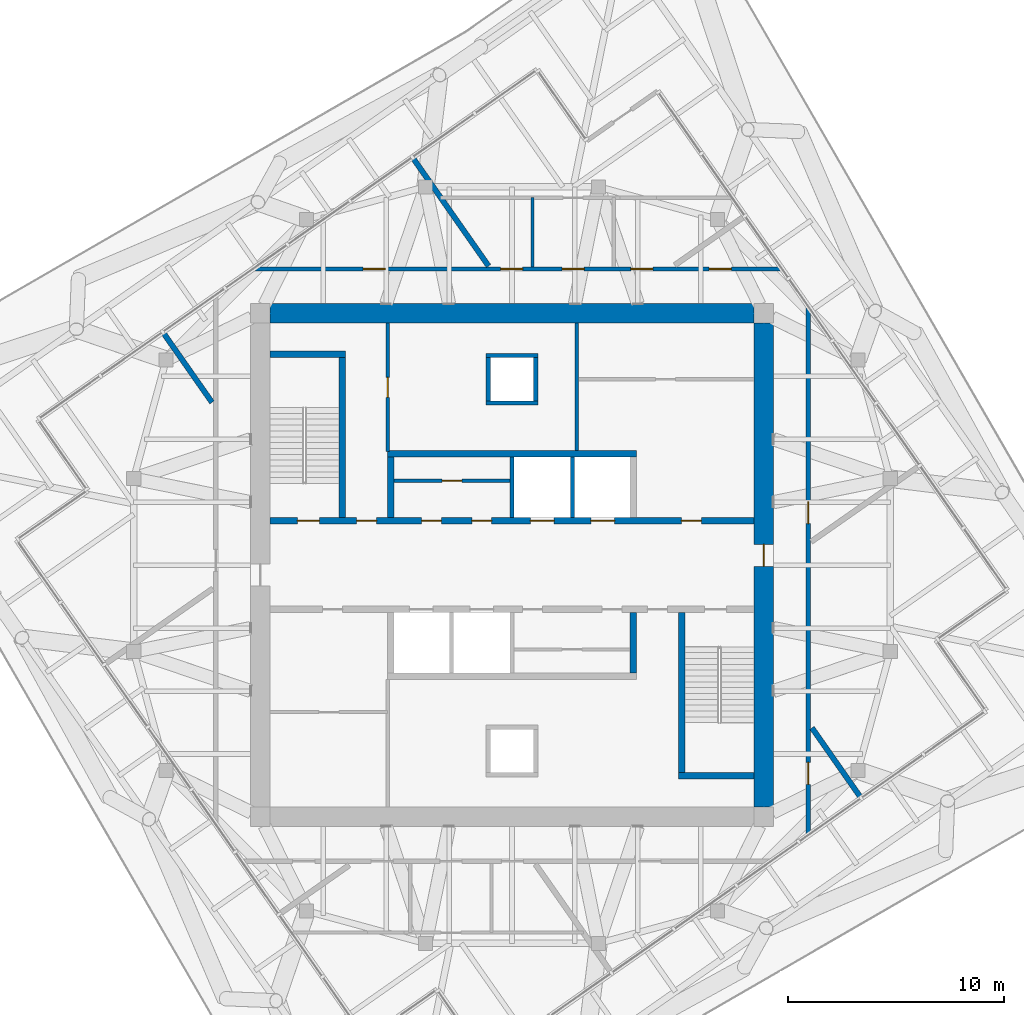
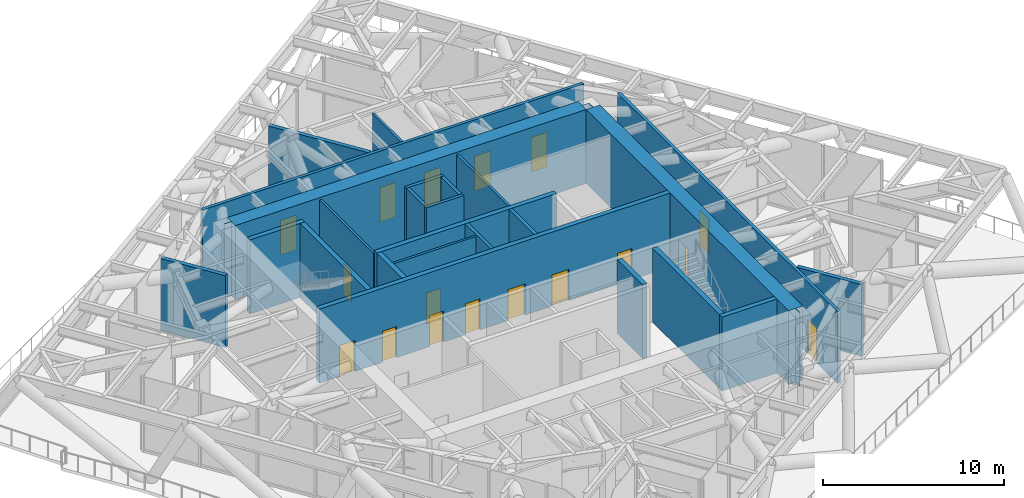
# One storey, part 9 of 16: 25 walls, 17 doors, 17 openings.
"""IFC4 building model written with IfcOpenShell, lengths in metres."""

from ifc_helpers import new_model, si_unit, direction, frame, frame_2d, origin, place, context, subcontext, project, spatial, polyline, rectangle, outline, extrude, material, layer, layer_set, type_object, element, fill, save


model = new_model("IFC4")

# Units and contexts
model_context = context("Model", 3, precision=1e-05, world=origin(), true_north=direction((0.0, 1.0)))
body_context = subcontext(model_context, "Body", "Model", "MODEL_VIEW")
ifc_project = project(units=[si_unit("LENGTHUNIT", "METRE"), si_unit("AREAUNIT", "SQUARE_METRE"), si_unit("VOLUMEUNIT", "CUBIC_METRE"), si_unit("PLANEANGLEUNIT", "RADIAN"), si_unit("MASSUNIT", "GRAM", prefix="KILO")], contexts=[model_context])

# Site, building, storey
site_placement = place(None, origin())
site = spatial("IfcSite", under=ifc_project, at=site_placement, CompositionType="ELEMENT")
building_placement = place(site_placement, origin())
building = spatial("IfcBuilding", under=site, at=building_placement, Name="Torsade Residences", CompositionType="ELEMENT")
storey_placement = place(building_placement, frame((0.0, 0.0, 235.39990234375)))
storey = spatial("IfcBuildingStorey", under=building, at=storey_placement, Name="L65", CompositionType="ELEMENT", Elevation=235.39990234375)

# Wall, openings, doors
ifc_material_1 = material(Name="Concrete 80 MPa", Category="concrete")
ifc_layer_1 = layer(ifc_material_1, 0.300048828125)
ifc_layer_set_1 = layer_set([ifc_layer_1], Name="Concrete 80 MPa")
wall_type_1 = type_object("IfcWallType", Name="CORE INTERNAL WALL 300", PredefinedType="SHEAR", material=ifc_layer_set_1)
wall_1_placement = place(storey_placement, frame((28.800048828125, 32.050048828125, 0.0), z_axis=(0.0, 0.0, 1.0), x_axis=(1.0, 0.0, 0.0)))
wall_1 = element("IfcWall", 1, at=wall_1_placement, inside=storey, type_object=wall_type_1, Name="Core wall LN L65", PredefinedType="SHEAR", context=body_context, shape_type="SweptSolid", body=[
    extrude(rectangle(XDim=22.39990234375, YDim=0.300048828125, at=frame_2d((11.199951171875, 0.0))), origin(), (0.0, 0.0, 1.0), 5.0),
])
opening_1_placement = place(wall_1_placement, frame((19.0400390625, 0.0, 0.0)))
opening_1 = element("IfcOpeningElement", 2, at=opening_1_placement, cuts=wall_1, Name="Opening D06", PredefinedType="OPENING", context=body_context, shape_type="SweptSolid", body=[
    extrude(rectangle(XDim=0.919921875, YDim=2.10009765625, at=frame_2d((0.4599609375, 1.050048828125))), frame((0.0, 0.159912109375, 0.0), z_axis=(0.0, -1.0, 0.0), x_axis=(1.0, 0.0, 0.0)), (0.0, 0.0, 1.0), 0.320068359375),
])
opening_2_placement = place(wall_1_placement, frame((1.264892578125, 0.0, 0.0)))
opening_2 = element("IfcOpeningElement", 3, at=opening_2_placement, cuts=wall_1, Name="Opening D03", PredefinedType="OPENING", context=body_context, shape_type="SweptSolid", body=[
    extrude(rectangle(XDim=1.02001953125, YDim=2.10009765625, at=frame_2d((0.510009765625, 1.050048828125))), frame((0.0, 0.159912109375, 0.0), z_axis=(0.0, -1.0, 0.0), x_axis=(1.0, 0.0, 0.0)), (0.0, 0.0, 1.0), 0.320068359375),
])
opening_3_placement = place(wall_1_placement, frame((4.014892578125, 0.0, 0.0)))
opening_3 = element("IfcOpeningElement", 4, at=opening_3_placement, cuts=wall_1, Name="Opening D06", PredefinedType="OPENING", context=body_context, shape_type="SweptSolid", body=[
    extrude(rectangle(XDim=0.919921875, YDim=2.10009765625, at=frame_2d((0.4599609375, 1.050048828125))), frame((0.0, 0.159912109375, 0.0), z_axis=(0.0, -1.0, 0.0), x_axis=(1.0, 0.0, 0.0)), (0.0, 0.0, 1.0), 0.320068359375),
])
opening_4_placement = place(wall_1_placement, frame((7.014892578125, 0.0, 0.0)))
opening_4 = element("IfcOpeningElement", 5, at=opening_4_placement, cuts=wall_1, Name="Opening D06", PredefinedType="OPENING", context=body_context, shape_type="SweptSolid", body=[
    extrude(rectangle(XDim=0.919921875, YDim=2.10009765625, at=frame_2d((0.4599609375, 1.050048828125))), frame((0.0, 0.159912109375, 0.0), z_axis=(0.0, -1.0, 0.0), x_axis=(1.0, 0.0, 0.0)), (0.0, 0.0, 1.0), 0.320068359375),
])
opening_5_placement = place(wall_1_placement, frame((9.340087890625, 0.0, 0.0)))
opening_5 = element("IfcOpeningElement", 6, at=opening_5_placement, cuts=wall_1, Name="Opening D06", PredefinedType="OPENING", context=body_context, shape_type="SweptSolid", body=[
    extrude(rectangle(XDim=0.919921875, YDim=2.10009765625, at=frame_2d((0.4599609375, 1.050048828125))), frame((0.0, 0.159912109375, 0.0), z_axis=(0.0, -1.0, 0.0), x_axis=(1.0, 0.0, 0.0)), (0.0, 0.0, 1.0), 0.320068359375),
])
opening_6_placement = place(wall_1_placement, frame((12.050048828125, 0.0, 0.0)))
opening_6 = element("IfcOpeningElement", 7, at=opening_6_placement, cuts=wall_1, Name="Opening LD", PredefinedType="OPENING", context=body_context, shape_type="SweptSolid", body=[
    extrude(rectangle(XDim=1.10009765625, YDim=2.10009765625, at=frame_2d((0.550048828125, 1.050048828125))), frame((0.0, 0.159912109375, 0.0), z_axis=(0.0, -1.0, 0.0), x_axis=(1.0, 0.0, 0.0)), (0.0, 0.0, 1.0), 0.320068359375),
])
opening_7_placement = place(wall_1_placement, frame((14.85009765625, 0.0, 0.0)))
opening_7 = element("IfcOpeningElement", 8, at=opening_7_placement, cuts=wall_1, Name="Opening LD", PredefinedType="OPENING", context=body_context, shape_type="SweptSolid", body=[
    extrude(rectangle(XDim=1.10009765625, YDim=2.10009765625, at=frame_2d((0.550048828125, 1.050048828125))), frame((0.0, 0.159912109375, 0.0), z_axis=(0.0, -1.0, 0.0), x_axis=(1.0, 0.0, 0.0)), (0.0, 0.0, 1.0), 0.320068359375),
])
ifc_material_2 = material(Name="Steel-framed fire door", Category="steel")
door_type_1 = type_object("IfcDoorType", Name="FIRE DOOR 1020", OperationType="NOTDEFINED", PredefinedType="DOOR", material=ifc_material_2)
door_1_placement = place(opening_2_placement, origin())
door_1 = element("IfcDoor", 9, at=door_1_placement, inside=storey, type_object=door_type_1, Name="Exit door to fire-isolated stair ST1 L65", OperationType="SINGLE_SWING_RIGHT", OverallHeight=2.10009765625, OverallWidth=1.02001953125, PredefinedType="DOOR", context=body_context, shape_type="SweptSolid", body=[
    extrude(rectangle(XDim=1.02001953125, YDim=2.10009765625, at=frame_2d((0.510009765625, 1.050048828125))), frame((0.0, 0.02490234375, 0.0), z_axis=(0.0, -1.0, 0.0), x_axis=(1.0, 0.0, 0.0)), (0.0, 0.0, 1.0), 0.050048828125),
])
fill(opening_2, door_1)
ifc_material_3 = material(Name="Steel-framed fire door", Category="steel")
door_type_2 = type_object("IfcDoorType", Name="FIRE DOOR 920", OperationType="NOTDEFINED", PredefinedType="DOOR", material=ifc_material_3)
door_2_placement = place(opening_1_placement, origin())
door_2 = element("IfcDoor", 10, at=door_2_placement, inside=storey, type_object=door_type_2, Name="Door Lift lobby to Refuse room", OperationType="SINGLE_SWING_LEFT", OverallHeight=2.10009765625, OverallWidth=0.919921875, PredefinedType="DOOR", context=body_context, shape_type="SweptSolid", body=[
    extrude(rectangle(XDim=0.919921875, YDim=2.10009765625, at=frame_2d((0.4599609375, 1.050048828125))), frame((0.0, 0.02490234375, 0.0), z_axis=(0.0, -1.0, 0.0), x_axis=(1.0, 0.0, 0.0)), (0.0, 0.0, 1.0), 0.050048828125),
])
fill(opening_1, door_2)
door_3_placement = place(opening_3_placement, origin())
door_3 = element("IfcDoor", 11, at=door_3_placement, inside=storey, type_object=door_type_2, Name="Door Lift lobby to Meter store", OperationType="SINGLE_SWING_LEFT", OverallHeight=2.10009765625, OverallWidth=0.919921875, PredefinedType="DOOR", context=body_context, shape_type="SweptSolid", body=[
    extrude(rectangle(XDim=0.919921875, YDim=2.10009765625, at=frame_2d((0.4599609375, 1.050048828125))), frame((0.0, 0.02490234375, 0.0), z_axis=(0.0, -1.0, 0.0), x_axis=(1.0, 0.0, 0.0)), (0.0, 0.0, 1.0), 0.050048828125),
])
fill(opening_3, door_3)
door_4_placement = place(opening_4_placement, origin())
door_4 = element("IfcDoor", 12, at=door_4_placement, inside=storey, type_object=door_type_2, Name="Door Lift lobby to IT equipment room L65A", OperationType="SINGLE_SWING_RIGHT", OverallHeight=2.10009765625, OverallWidth=0.919921875, PredefinedType="DOOR", context=body_context, shape_type="SweptSolid", body=[
    extrude(rectangle(XDim=0.919921875, YDim=2.10009765625, at=frame_2d((0.4599609375, 1.050048828125))), frame((0.0, 0.02490234375, 0.0), z_axis=(0.0, -1.0, 0.0), x_axis=(1.0, 0.0, 0.0)), (0.0, 0.0, 1.0), 0.050048828125),
])
fill(opening_4, door_4)
door_5_placement = place(opening_5_placement, origin())
door_5 = element("IfcDoor", 13, at=door_5_placement, inside=storey, type_object=door_type_2, Name="Door Lift lobby to IT equipment room L65A", OperationType="SINGLE_SWING_RIGHT", OverallHeight=2.10009765625, OverallWidth=0.919921875, PredefinedType="DOOR", context=body_context, shape_type="SweptSolid", body=[
    extrude(rectangle(XDim=0.919921875, YDim=2.10009765625, at=frame_2d((0.4599609375, 1.050048828125))), frame((0.0, 0.02490234375, 0.0), z_axis=(0.0, -1.0, 0.0), x_axis=(1.0, 0.0, 0.0)), (0.0, 0.0, 1.0), 0.050048828125),
])
fill(opening_5, door_5)
ifc_material_4 = material(Name="Stainless steel lift landing door", Category="steel")
door_type_3 = type_object("IfcDoorType", Name="LIFT LANDING DOOR 1100", OperationType="SLIDING_TO_LEFT", PredefinedType="DOOR", material=ifc_material_4)
door_6_placement = place(opening_6_placement, origin())
door_6 = element("IfcDoor", 14, at=door_6_placement, inside=storey, type_object=door_type_3, Name="Lift LA3 landing door L65", OperationType="SLIDING_TO_LEFT", OverallHeight=2.10009765625, OverallWidth=1.10009765625, PredefinedType="DOOR", context=body_context, shape_type="SweptSolid", body=[
    extrude(rectangle(XDim=1.10009765625, YDim=2.10009765625, at=frame_2d((0.550048828125, 1.050048828125))), frame((0.0, 0.02490234375, 0.0), z_axis=(0.0, -1.0, 0.0), x_axis=(1.0, 0.0, 0.0)), (0.0, 0.0, 1.0), 0.050048828125),
])
fill(opening_6, door_6)
door_7_placement = place(opening_7_placement, origin())
door_7 = element("IfcDoor", 15, at=door_7_placement, inside=storey, type_object=door_type_3, Name="Lift FL1 landing door L65", OperationType="SLIDING_TO_LEFT", OverallHeight=2.10009765625, OverallWidth=1.10009765625, PredefinedType="DOOR", context=body_context, shape_type="SweptSolid", body=[
    extrude(rectangle(XDim=1.10009765625, YDim=2.10009765625, at=frame_2d((0.550048828125, 1.050048828125))), frame((0.0, 0.02490234375, 0.0), z_axis=(0.0, -1.0, 0.0), x_axis=(1.0, 0.0, 0.0)), (0.0, 0.0, 1.0), 0.050048828125),
])
fill(opening_7, door_7)

# Walls
wall_2_placement = place(storey_placement, frame((34.25, 35.14990234375, 0.0), z_axis=(0.0, 0.0, 1.0), x_axis=(1.0, 0.0, 0.0)))
element("IfcWall", 16, at=wall_2_placement, inside=storey, type_object=wall_type_1, Name="Core wall BN L65", PredefinedType="SHEAR", context=body_context, shape_type="SweptSolid", body=[
    extrude(rectangle(XDim=11.5, YDim=0.300048828125, at=frame_2d((5.75, 0.0))), origin(), (0.0, 0.0, 1.0), 5.0),
])
for number, where, z_axis, x_axis, name in (
    (17, (34.39990234375, 32.199951171875, 0.0), (0.0, 0.0, 1.0), (0.0, 1.0, 0.0), "Core wall DN0 L65"),
    (18, (45.60009765625, 27.800048828125, 0.0), (0.0, 0.0, 1.0), (0.0, -1.0, 0.0), "Core wall DS0 L65"),
):
    element("IfcWall", number, at=place(storey_placement, frame(where, z_axis=z_axis, x_axis=x_axis)), inside=storey, type_object=wall_type_1, Name=name, PredefinedType="SHEAR", context=body_context, shape_type="SweptSolid", body=[
        extrude(rectangle(XDim=2.800048828125, YDim=0.300048828125, at=frame_2d((1.39990234375, 0.0))), origin(), (0.0, 0.0, 1.0), 5.0),
    ])
wall_3_placement = place(storey_placement, frame((32.14990234375, 32.199951171875, 0.0), z_axis=(0.0, 0.0, 1.0), x_axis=(0.0, 1.0, 0.0)))
element("IfcWall", 19, at=wall_3_placement, inside=storey, type_object=wall_type_1, Name="Core wall ST1E L65", PredefinedType="SHEAR", context=body_context, shape_type="SweptSolid", body=[
    extrude(rectangle(XDim=7.699951171875, YDim=0.300048828125, at=frame_2d((3.85009765625, 0.0))), origin(), (0.0, 0.0, 1.0), 5.0),
])
wall_4_placement = place(storey_placement, frame((28.800048828125, 39.75, 0.0), z_axis=(0.0, 0.0, 1.0), x_axis=(1.0, 0.0, 0.0)))
element("IfcWall", 20, at=wall_4_placement, inside=storey, type_object=wall_type_1, Name="Core wall ST1N L65", PredefinedType="SHEAR", context=body_context, shape_type="SweptSolid", body=[
    extrude(rectangle(XDim=3.5, YDim=0.300048828125, at=frame_2d((1.75, 0.0))), origin(), (0.0, 0.0, 1.0), 5.0),
])
wall_5_placement = place(storey_placement, frame((47.85009765625, 27.800048828125, 0.0), z_axis=(0.0, 0.0, 1.0), x_axis=(0.0, -1.0, 0.0)))
element("IfcWall", 21, at=wall_5_placement, inside=storey, type_object=wall_type_1, Name="Core wall ST2W L65", PredefinedType="SHEAR", context=body_context, shape_type="SweptSolid", body=[
    extrude(rectangle(XDim=7.699951171875, YDim=0.300048828125, at=frame_2d((3.85009765625, 0.0))), origin(), (0.0, 0.0, 1.0), 5.0),
])
wall_6_placement = place(storey_placement, frame((51.199951171875, 20.25, 0.0), z_axis=(0.0, 0.0, 1.0), x_axis=(-1.0, 0.0, 0.0)))
element("IfcWall", 22, at=wall_6_placement, inside=storey, type_object=wall_type_1, Name="Core wall ST2S L65", PredefinedType="SHEAR", context=body_context, shape_type="SweptSolid", body=[
    extrude(rectangle(XDim=3.5, YDim=0.300048828125, at=frame_2d((1.75, 0.0))), origin(), (0.0, 0.0, 1.0), 5.0),
])
ifc_material_5 = material(Name="Concrete 80 MPa", Category="concrete")
ifc_layer_2 = layer(ifc_material_5, 0.89990234375)
ifc_layer_set_2 = layer_set([ifc_layer_2], Name="Concrete 80 MPa")
wall_type_2 = type_object("IfcWallType", Name="CORE WALL 900", PredefinedType="SHEAR", material=ifc_layer_set_2)
wall_7_placement = place(storey_placement, frame((28.800048828125, 41.64990234375, 0.0), z_axis=(0.0, 0.0, 1.0), x_axis=(1.0, 0.0, 0.0)))
element("IfcWall", 23, at=wall_7_placement, inside=storey, type_object=wall_type_2, Name="Core wall N L65", PredefinedType="SHEAR", context=body_context, shape_type="SweptSolid", body=[
    extrude(outline(polyline([(0.0, -0.449951171875), (22.39990234375, -0.449951171875), (22.39990234375, -0.02490234375), (22.849853515625, -0.02490234375), (22.849853515625, 0.02490234375), (22.39990234375, 0.02490234375), (22.39990234375, 0.449951171875), (0.0, 0.449951171875), (0.0, 0.02490234375), (-0.449951171875, 0.02490234375), (-0.449951171875, -0.02490234375), (0.0, -0.02490234375), (0.0, -0.449951171875)])), origin(), (0.0, 0.0, 1.0), 5.0),
])

# Wall, opening, door
wall_8_placement = place(storey_placement, frame((51.64990234375, 18.800048828125, 0.0), z_axis=(0.0, 0.0, 1.0), x_axis=(0.0, 1.0, 0.0)))
wall_8 = element("IfcWall", 24, at=wall_8_placement, inside=storey, type_object=wall_type_2, Name="Core wall E L65", PredefinedType="SHEAR", context=body_context, shape_type="SweptSolid", body=[
    extrude(outline(polyline([(0.0, -0.449951171875), (22.39990234375, -0.449951171875), (22.39990234375, -0.02490234375), (22.849853515625, -0.02490234375), (22.849853515625, 0.02490234375), (22.39990234375, 0.02490234375), (22.39990234375, 0.449951171875), (0.0, 0.449951171875), (0.0, 0.02490234375), (-0.449951171875, 0.02490234375), (-0.449951171875, -0.02490234375), (0.0, -0.02490234375), (0.0, -0.449951171875)])), origin(), (0.0, 0.0, 1.0), 5.0),
])
opening_8_placement = place(wall_8_placement, frame((11.139892578125, 0.0, 0.0)))
opening_8 = element("IfcOpeningElement", 25, at=opening_8_placement, cuts=wall_8, Name="Opening D04", PredefinedType="OPENING", context=body_context, shape_type="SweptSolid", body=[
    extrude(rectangle(XDim=1.02001953125, YDim=2.39990234375, at=frame_2d((0.510009765625, 1.199951171875))), frame((0.0, 0.4599609375, 0.0), z_axis=(0.0, -1.0, 0.0), x_axis=(1.0, 0.0, 0.0)), (0.0, 0.0, 1.0), 0.919921875),
])
ifc_material_6 = material(Name="Steel-framed fire door", Category="steel")
door_type_4 = type_object("IfcDoorType", Name="LOBBY SMOKE DOOR 1020x2400", OperationType="NOTDEFINED", PredefinedType="DOOR", material=ifc_material_6)
door_8_placement = place(opening_8_placement, origin())
door_8 = element("IfcDoor", 26, at=door_8_placement, inside=storey, type_object=door_type_4, Name="Lift lobby door E L65", OperationType="SINGLE_SWING_LEFT", OverallHeight=2.39990234375, OverallWidth=1.02001953125, PredefinedType="DOOR", context=body_context, shape_type="SweptSolid", body=[
    extrude(rectangle(XDim=1.02001953125, YDim=2.39990234375, at=frame_2d((0.510009765625, 1.199951171875))), frame((0.0, 0.02490234375, 0.0), z_axis=(0.0, -1.0, 0.0), x_axis=(1.0, 0.0, 0.0)), (0.0, 0.0, 1.0), 0.050048828125),
])
fill(opening_8, door_8)

# Wall, openings, doors
ifc_material_7 = material(Name="Plasterboard on steel stud", Category="steel")
ifc_layer_3 = layer(ifc_material_7, 0.199951171875)
ifc_layer_set_3 = layer_set([ifc_layer_3], Name="Plasterboard on steel stud")
wall_type_3 = type_object("IfcWallType", Name="CORRIDOR WALL 200", PredefinedType="PARTITIONING", material=ifc_layer_set_3)
wall_9_placement = place(storey_placement, frame((53.699951171875, 17.545654296875, 0.0), z_axis=(0.0, 0.0, 1.0), x_axis=(0.0, 1.0, 0.0)))
wall_9 = element("IfcWall", 27, at=wall_9_placement, inside=storey, type_object=wall_type_3, Name="Corridor wall L65", PredefinedType="PARTITIONING", context=body_context, shape_type="SweptSolid", body=[
    extrude(rectangle(XDim=24.37548828125, YDim=0.199951171875, at=frame_2d((12.187744140625, 0.0))), origin(), (0.0, 0.0, 1.0), 4.85009765625),
])
opening_9_placement = place(wall_9_placement, frame((14.37744140625, 0.0, 0.0)))
opening_9 = element("IfcOpeningElement", 28, at=opening_9_placement, cuts=wall_9, Name="Opening D01", PredefinedType="OPENING", context=body_context, shape_type="SweptSolid", body=[
    extrude(rectangle(XDim=1.02001953125, YDim=2.340087890625, at=frame_2d((0.510009765625, 1.169921875))), frame((0.0, 0.10986328125, 0.0), z_axis=(0.0, -1.0, 0.0), x_axis=(1.0, 0.0, 0.0)), (0.0, 0.0, 1.0), 0.219970703125),
])
opening_10_placement = place(wall_9_placement, frame((2.309814453125, 0.0, 0.0)))
opening_10 = element("IfcOpeningElement", 29, at=opening_10_placement, cuts=wall_9, Name="Opening D01", PredefinedType="OPENING", context=body_context, shape_type="SweptSolid", body=[
    extrude(rectangle(XDim=1.02001953125, YDim=2.340087890625, at=frame_2d((0.510009765625, 1.169921875))), frame((0.0, 0.10986328125, 0.0), z_axis=(0.0, -1.0, 0.0), x_axis=(1.0, 0.0, 0.0)), (0.0, 0.0, 1.0), 0.219970703125),
])
ifc_material_8 = material(Name="Solid-core timber fire door", Category="wood")
door_type_5 = type_object("IfcDoorType", Name="APARTMENT ENTRY DOOR 1020x2340", OperationType="NOTDEFINED", PredefinedType="DOOR", material=ifc_material_8)
door_9_placement = place(opening_9_placement, origin())
door_9 = element("IfcDoor", 30, at=door_9_placement, inside=storey, type_object=door_type_5, Name="Door Plant corridor to Refuge area", OperationType="SINGLE_SWING_RIGHT", OverallHeight=2.340087890625, OverallWidth=1.02001953125, PredefinedType="DOOR", context=body_context, shape_type="SweptSolid", body=[
    extrude(rectangle(XDim=1.02001953125, YDim=2.340087890625, at=frame_2d((0.510009765625, 1.169921875))), frame((0.0, 0.02490234375, 0.0), z_axis=(0.0, -1.0, 0.0), x_axis=(1.0, 0.0, 0.0)), (0.0, 0.0, 1.0), 0.050048828125),
])
fill(opening_9, door_9)
door_10_placement = place(opening_10_placement, origin())
door_10 = element("IfcDoor", 31, at=door_10_placement, inside=storey, type_object=door_type_5, Name="Door Plant corridor to Mechanical plant room", OperationType="SINGLE_SWING_RIGHT", OverallHeight=2.340087890625, OverallWidth=1.02001953125, PredefinedType="DOOR", context=body_context, shape_type="SweptSolid", body=[
    extrude(rectangle(XDim=1.02001953125, YDim=2.340087890625, at=frame_2d((0.510009765625, 1.169921875))), frame((0.0, 0.02490234375, 0.0), z_axis=(0.0, -1.0, 0.0), x_axis=(1.0, 0.0, 0.0)), (0.0, 0.0, 1.0), 0.050048828125),
])
fill(opening_10, door_10)

wall_10_placement = place(storey_placement, frame((52.454345703125, 43.699951171875, 0.0), z_axis=(0.0, 0.0, 1.0), x_axis=(-1.0, 0.0, 0.0)))
wall_10 = element("IfcWall", 32, at=wall_10_placement, inside=storey, type_object=wall_type_3, Name="Corridor wall L65", PredefinedType="PARTITIONING", context=body_context, shape_type="SweptSolid", body=[
    extrude(rectangle(XDim=24.37548828125, YDim=0.199951171875, at=frame_2d((12.187744140625, 0.0))), origin(), (0.0, 0.0, 1.0), 4.85009765625),
])
opening_11_placement = place(wall_10_placement, frame((18.316650390625, 0.0, 0.0)))
opening_11 = element("IfcOpeningElement", 33, at=opening_11_placement, cuts=wall_10, Name="Opening D01", PredefinedType="OPENING", context=body_context, shape_type="SweptSolid", body=[
    extrude(rectangle(XDim=1.02001953125, YDim=2.340087890625, at=frame_2d((0.510009765625, 1.169921875))), frame((0.0, 0.10986328125, 0.0), z_axis=(0.0, -1.0, 0.0), x_axis=(1.0, 0.0, 0.0)), (0.0, 0.0, 1.0), 0.219970703125),
])
opening_12_placement = place(wall_10_placement, frame((2.309814453125, 0.0, 0.0)))
opening_12 = element("IfcOpeningElement", 34, at=opening_12_placement, cuts=wall_10, Name="Opening D01", PredefinedType="OPENING", context=body_context, shape_type="SweptSolid", body=[
    extrude(rectangle(XDim=1.02001953125, YDim=2.340087890625, at=frame_2d((0.510009765625, 1.169921875))), frame((0.0, 0.10986328125, 0.0), z_axis=(0.0, -1.0, 0.0), x_axis=(1.0, 0.0, 0.0)), (0.0, 0.0, 1.0), 0.219970703125),
])
opening_13_placement = place(wall_10_placement, frame((9.119384765625, 0.0, 0.0)))
opening_13 = element("IfcOpeningElement", 35, at=opening_13_placement, cuts=wall_10, Name="Opening D01", PredefinedType="OPENING", context=body_context, shape_type="SweptSolid", body=[
    extrude(rectangle(XDim=1.02001953125, YDim=2.340087890625, at=frame_2d((0.510009765625, 1.169921875))), frame((0.0, 0.10986328125, 0.0), z_axis=(0.0, -1.0, 0.0), x_axis=(1.0, 0.0, 0.0)), (0.0, 0.0, 1.0), 0.219970703125),
])
opening_14_placement = place(wall_10_placement, frame((5.933837890625, 0.0, 0.0)))
opening_14 = element("IfcOpeningElement", 36, at=opening_14_placement, cuts=wall_10, Name="Opening D01", PredefinedType="OPENING", context=body_context, shape_type="SweptSolid", body=[
    extrude(rectangle(XDim=1.02001953125, YDim=2.340087890625, at=frame_2d((0.510009765625, 1.169921875))), frame((0.0, 0.10986328125, 0.0), z_axis=(0.0, -1.0, 0.0), x_axis=(1.0, 0.0, 0.0)), (0.0, 0.0, 1.0), 0.219970703125),
])
opening_15_placement = place(wall_10_placement, frame((11.95703125, 0.0, 0.0)))
opening_15 = element("IfcOpeningElement", 37, at=opening_15_placement, cuts=wall_10, Name="Opening D01", PredefinedType="OPENING", context=body_context, shape_type="SweptSolid", body=[
    extrude(rectangle(XDim=1.02001953125, YDim=2.340087890625, at=frame_2d((0.510009765625, 1.169921875))), frame((0.0, 0.10986328125, 0.0), z_axis=(0.0, -1.0, 0.0), x_axis=(1.0, 0.0, 0.0)), (0.0, 0.0, 1.0), 0.219970703125),
])
door_11_placement = place(opening_11_placement, origin())
door_11 = element("IfcDoor", 38, at=door_11_placement, inside=storey, type_object=door_type_5, Name="Door Plant corridor to Mechanical plant room", OperationType="SINGLE_SWING_RIGHT", OverallHeight=2.340087890625, OverallWidth=1.02001953125, PredefinedType="DOOR", context=body_context, shape_type="SweptSolid", body=[
    extrude(rectangle(XDim=1.02001953125, YDim=2.340087890625, at=frame_2d((0.510009765625, 1.169921875))), frame((0.0, 0.02490234375, 0.0), z_axis=(0.0, -1.0, 0.0), x_axis=(1.0, 0.0, 0.0)), (0.0, 0.0, 1.0), 0.050048828125),
])
fill(opening_11, door_11)
door_12_placement = place(opening_12_placement, origin())
door_12 = element("IfcDoor", 39, at=door_12_placement, inside=storey, type_object=door_type_5, Name="Door Plant corridor to Mechanical plant room", OperationType="SINGLE_SWING_LEFT", OverallHeight=2.340087890625, OverallWidth=1.02001953125, PredefinedType="DOOR", context=body_context, shape_type="SweptSolid", body=[
    extrude(rectangle(XDim=1.02001953125, YDim=2.340087890625, at=frame_2d((0.510009765625, 1.169921875))), frame((0.0, 0.02490234375, 0.0), z_axis=(0.0, -1.0, 0.0), x_axis=(1.0, 0.0, 0.0)), (0.0, 0.0, 1.0), 0.050048828125),
])
fill(opening_12, door_12)
door_13_placement = place(opening_13_placement, origin())
door_13 = element("IfcDoor", 40, at=door_13_placement, inside=storey, type_object=door_type_5, Name="Door Plant corridor to Service lobby", OperationType="SINGLE_SWING_LEFT", OverallHeight=2.340087890625, OverallWidth=1.02001953125, PredefinedType="DOOR", context=body_context, shape_type="SweptSolid", body=[
    extrude(rectangle(XDim=1.02001953125, YDim=2.340087890625, at=frame_2d((0.510009765625, 1.169921875))), frame((0.0, 0.02490234375, 0.0), z_axis=(0.0, -1.0, 0.0), x_axis=(1.0, 0.0, 0.0)), (0.0, 0.0, 1.0), 0.050048828125),
])
fill(opening_13, door_13)
door_14_placement = place(opening_14_placement, origin())
door_14 = element("IfcDoor", 41, at=door_14_placement, inside=storey, type_object=door_type_5, Name="Door Plant corridor to Plant cupboard", OperationType="SINGLE_SWING_LEFT", OverallHeight=2.340087890625, OverallWidth=1.02001953125, PredefinedType="DOOR", context=body_context, shape_type="SweptSolid", body=[
    extrude(rectangle(XDim=1.02001953125, YDim=2.340087890625, at=frame_2d((0.510009765625, 1.169921875))), frame((0.0, 0.02490234375, 0.0), z_axis=(0.0, -1.0, 0.0), x_axis=(1.0, 0.0, 0.0)), (0.0, 0.0, 1.0), 0.050048828125),
])
fill(opening_14, door_14)
door_15_placement = place(opening_15_placement, origin())
door_15 = element("IfcDoor", 42, at=door_15_placement, inside=storey, type_object=door_type_5, Name="Door Plant corridor to Store", OperationType="SINGLE_SWING_LEFT", OverallHeight=2.340087890625, OverallWidth=1.02001953125, PredefinedType="DOOR", context=body_context, shape_type="SweptSolid", body=[
    extrude(rectangle(XDim=1.02001953125, YDim=2.340087890625, at=frame_2d((0.510009765625, 1.169921875))), frame((0.0, 0.02490234375, 0.0), z_axis=(0.0, -1.0, 0.0), x_axis=(1.0, 0.0, 0.0)), (0.0, 0.0, 1.0), 0.050048828125),
])
fill(opening_15, door_15)

# Walls
ifc_material_9 = material(Name="Reinforced blockwork", Category="masonry")
ifc_layer_4 = layer(ifc_material_9, 0.199951171875)
ifc_layer_set_4 = layer_set([ifc_layer_4], Name="Reinforced blockwork")
wall_type_4 = type_object("IfcWallType", Name="LIFT SHAFT DIVIDING WALL 200", PredefinedType="SOLIDWALL", material=ifc_layer_set_4)
for number, where, z_axis, x_axis, name in (
    (43, (40.0, 32.199951171875, 0.0), (0.0, 0.0, 1.0), (0.0, 1.0, 0.0), "Core wall DN2 L65"),
    (44, (42.800048828125, 32.199951171875, 0.0), (0.0, 0.0, 1.0), (0.0, 1.0, 0.0), "Core wall DN3 L65"),
):
    element("IfcWall", number, at=place(storey_placement, frame(where, z_axis=z_axis, x_axis=x_axis)), inside=storey, type_object=wall_type_4, Name=name, PredefinedType="SOLIDWALL", context=body_context, shape_type="SweptSolid", body=[
        extrude(rectangle(XDim=2.800048828125, YDim=0.199951171875, at=frame_2d((1.39990234375, 0.0))), origin(), (0.0, 0.0, 1.0), 5.0),
    ])
ifc_material_10 = material(Name="Masonry-lined stud party wall", Category="masonry")
ifc_layer_5 = layer(ifc_material_10, 0.25)
ifc_layer_set_5 = layer_set([ifc_layer_5], Name="Masonry-lined stud party wall")
wall_type_5 = type_object("IfcWallType", Name="PARTY WALL 250", PredefinedType="PARTITIONING", material=ifc_layer_set_5)
wall_11_placement = place(storey_placement, frame((56.15673828125, 19.217041015625, 0.0), z_axis=(0.0, 0.0, 1.0), x_axis=(-0.573569635732, 0.819156806092, 0.0)))
element("IfcWall", 45, at=wall_11_placement, inside=storey, type_object=wall_type_5, Name="Party wall L65", PredefinedType="PARTITIONING", context=body_context, shape_type="SweptSolid", body=[
    extrude(rectangle(XDim=3.970458984375, YDim=0.25, at=frame_2d((1.9853515625, 0.0))), origin(), (0.0, 0.0, 1.0), 4.85009765625),
])
wall_12_placement = place(storey_placement, frame((35.393310546875, 48.870361328125, 0.0), z_axis=(0.0, 0.0, 1.0), x_axis=(0.573561042841, -0.819162822725, 0.0)))
element("IfcWall", 46, at=wall_12_placement, inside=storey, type_object=wall_type_5, Name="Party wall L65", PredefinedType="PARTITIONING", context=body_context, shape_type="SweptSolid", body=[
    extrude(rectangle(XDim=6.142333984375, YDim=0.25, at=frame_2d((3.0712890625, 0.0))), origin(), (0.0, 0.0, 1.0), 4.85009765625),
])
wall_13_placement = place(storey_placement, frame((23.84326171875, 40.782958984375, 0.0), z_axis=(0.0, 0.0, 1.0), x_axis=(0.573569635732, -0.819156806092, 0.0)))
element("IfcWall", 47, at=wall_13_placement, inside=storey, type_object=wall_type_5, Name="Party wall L65", PredefinedType="PARTITIONING", context=body_context, shape_type="SweptSolid", body=[
    extrude(rectangle(XDim=3.970458984375, YDim=0.25, at=frame_2d((1.9853515625, 0.0))), origin(), (0.0, 0.0, 1.0), 4.85009765625),
])
ifc_material_11 = material(Name="Reinforced blockwork", Category="masonry")
ifc_layer_6 = layer(ifc_material_11, 0.199951171875)
ifc_layer_set_6 = layer_set([ifc_layer_6], Name="Reinforced blockwork")
wall_type_6 = type_object("IfcWallType", Name="RISER SHAFT WALL 200", PredefinedType="SOLIDWALL", material=ifc_layer_set_6)
for number, where, z_axis, x_axis, name in (
    (48, (38.89990234375, 37.60009765625, 0.0), (0.0, 0.0, 1.0), (0.0, 1.0, 0.0), "Core wall RS1a L65"),
    (49, (41.10009765625, 37.60009765625, 0.0), (0.0, 0.0, 1.0), (0.0, 1.0, 0.0), "Core wall RS1b L65"),
):
    element("IfcWall", number, at=place(storey_placement, frame(where, z_axis=z_axis, x_axis=x_axis)), inside=storey, type_object=wall_type_6, Name=name, PredefinedType="SOLIDWALL", context=body_context, shape_type="SweptSolid", body=[
        extrude(rectangle(XDim=2.0, YDim=0.199951171875, at=frame_2d((1.0, 0.0))), origin(), (0.0, 0.0, 1.0), 5.0),
    ])
for number, where, z_axis, x_axis, name in (
    (50, (38.800048828125, 37.5, 0.0), (0.0, 0.0, 1.0), (1.0, 0.0, 0.0), "Core wall RS1c L65"),
    (51, (38.800048828125, 39.699951171875, 0.0), (0.0, 0.0, 1.0), (1.0, 0.0, 0.0), "Core wall RS1d L65"),
):
    element("IfcWall", number, at=place(storey_placement, frame(where, z_axis=z_axis, x_axis=x_axis)), inside=storey, type_object=wall_type_6, Name=name, PredefinedType="SOLIDWALL", context=body_context, shape_type="SweptSolid", body=[
        extrude(rectangle(XDim=2.39990234375, YDim=0.199951171875, at=frame_2d((1.199951171875, 0.0))), origin(), (0.0, 0.0, 1.0), 5.0),
    ])

# Wall, opening, door
ifc_material_12 = material(Name="Reinforced blockwork", Category="masonry")
ifc_layer_7 = layer(ifc_material_12, 0.14990234375)
ifc_layer_set_7 = layer_set([ifc_layer_7], Name="Reinforced blockwork")
wall_type_7 = type_object("IfcWallType", Name="SERVICE ROOM WALL 150", PredefinedType="SOLIDWALL", material=ifc_layer_set_7)
wall_14_placement = place(storey_placement, frame((34.25, 41.199951171875, 0.0), z_axis=(0.0, 0.0, 1.0), x_axis=(0.0, -1.0, 0.0)))
wall_14 = element("IfcWall", 52, at=wall_14_placement, inside=storey, type_object=wall_type_7, Name="Service room wall L65", PredefinedType="SOLIDWALL", context=body_context, shape_type="SweptSolid", body=[
    extrude(rectangle(XDim=5.949951171875, YDim=0.14990234375, at=frame_2d((2.97509765625, 0.0))), origin(), (0.0, 0.0, 1.0), 4.85009765625),
])
opening_16_placement = place(wall_14_placement, frame((2.514892578125, 0.0, 0.0)))
opening_16 = element("IfcOpeningElement", 53, at=opening_16_placement, cuts=wall_14, Name="Opening D06", PredefinedType="OPENING", context=body_context, shape_type="SweptSolid", body=[
    extrude(rectangle(XDim=0.919921875, YDim=2.10009765625, at=frame_2d((0.4599609375, 1.050048828125))), frame((0.0, 0.0849609375, 0.0), z_axis=(0.0, -1.0, 0.0), x_axis=(1.0, 0.0, 0.0)), (0.0, 0.0, 1.0), 0.169921875),
])
door_16_placement = place(opening_16_placement, origin())
door_16 = element("IfcDoor", 54, at=door_16_placement, inside=storey, type_object=door_type_2, Name="Door Meter store to Electrical riser room", OperationType="SINGLE_SWING_RIGHT", OverallHeight=2.10009765625, OverallWidth=0.919921875, PredefinedType="DOOR", context=body_context, shape_type="SweptSolid", body=[
    extrude(rectangle(XDim=0.919921875, YDim=2.10009765625, at=frame_2d((0.4599609375, 1.050048828125))), frame((0.0, 0.02490234375, 0.0), z_axis=(0.0, -1.0, 0.0), x_axis=(1.0, 0.0, 0.0)), (0.0, 0.0, 1.0), 0.050048828125),
])
fill(opening_16, door_16)

# Walls
wall_15_placement = place(storey_placement, frame((43.0, 41.199951171875, 0.0), z_axis=(0.0, 0.0, 1.0), x_axis=(0.0, -1.0, 0.0)))
element("IfcWall", 55, at=wall_15_placement, inside=storey, type_object=wall_type_7, Name="Service room wall L65", PredefinedType="SOLIDWALL", context=body_context, shape_type="SweptSolid", body=[
    extrude(rectangle(XDim=5.89990234375, YDim=0.14990234375, at=frame_2d((2.949951171875, 0.0))), origin(), (0.0, 0.0, 1.0), 4.85009765625),
])
wall_16_placement = place(storey_placement, frame((40.9462890625, 43.800048828125, 0.0), z_axis=(0.0, 0.0, 1.0), x_axis=(0.0, 1.0, 0.0)))
element("IfcWall", 56, at=wall_16_placement, inside=storey, type_object=wall_type_7, Name="Service room wall L65", PredefinedType="SOLIDWALL", context=body_context, shape_type="SweptSolid", body=[
    extrude(rectangle(XDim=3.199951171875, YDim=0.14990234375, at=frame_2d((1.60009765625, 0.0))), origin(), (0.0, 0.0, 1.0), 4.85009765625),
])

# Wall, opening, door
wall_17_placement = place(storey_placement, frame((34.550048828125, 33.89990234375, 0.0), z_axis=(0.0, 0.0, 1.0), x_axis=(1.0, 0.0, 0.0)))
wall_17 = element("IfcWall", 57, at=wall_17_placement, inside=storey, type_object=wall_type_7, Name="Service room wall L65", PredefinedType="SOLIDWALL", context=body_context, shape_type="SweptSolid", body=[
    extrude(rectangle(XDim=5.349853515625, YDim=0.14990234375, at=frame_2d((2.6748046875, 0.0))), origin(), (0.0, 0.0, 1.0), 4.85009765625),
])
opening_17_placement = place(wall_17_placement, frame((2.215087890625, 0.0, 0.0)))
opening_17 = element("IfcOpeningElement", 58, at=opening_17_placement, cuts=wall_17, Name="Opening D06", PredefinedType="OPENING", context=body_context, shape_type="SweptSolid", body=[
    extrude(rectangle(XDim=0.919921875, YDim=2.10009765625, at=frame_2d((0.4599609375, 1.050048828125))), frame((0.0, 0.0849609375, 0.0), z_axis=(0.0, -1.0, 0.0), x_axis=(1.0, 0.0, 0.0)), (0.0, 0.0, 1.0), 0.169921875),
])
door_17_placement = place(opening_17_placement, origin())
door_17 = element("IfcDoor", 59, at=door_17_placement, inside=storey, type_object=door_type_2, Name="Door IT equipment room L65A to Equipment store L65B", OperationType="SINGLE_SWING_RIGHT", OverallHeight=2.10009765625, OverallWidth=0.919921875, PredefinedType="DOOR", context=body_context, shape_type="SweptSolid", body=[
    extrude(rectangle(XDim=0.919921875, YDim=2.10009765625, at=frame_2d((0.4599609375, 1.050048828125))), frame((0.0, 0.02490234375, 0.0), z_axis=(0.0, -1.0, 0.0), x_axis=(1.0, 0.0, 0.0)), (0.0, 0.0, 1.0), 0.050048828125),
])
fill(opening_17, door_17)

save(model, "model.ifc")
